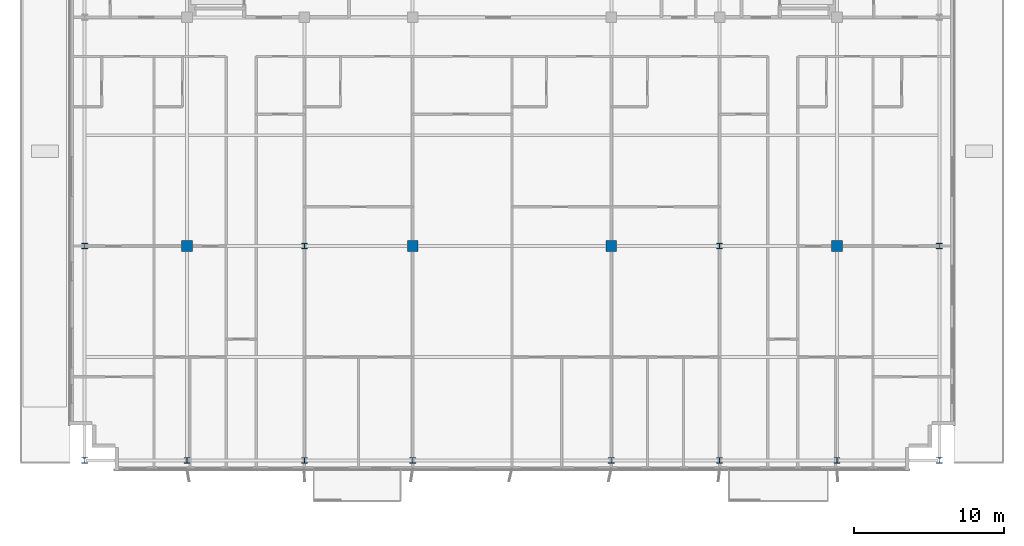
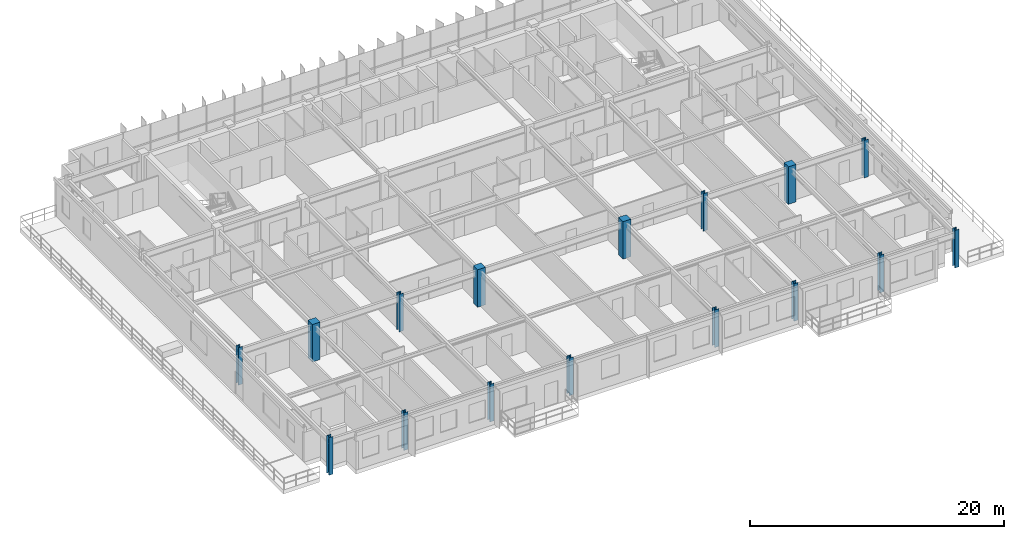
# One storey, part 1 of 22: 16 columns.
"""IFC4 building model written with IfcOpenShell, lengths in metres."""

from ifc_helpers import new_model, si_unit, direction, frame, origin, origin_2d, place, context, subcontext, project, spatial, rectangle, i_section, extrude, source, transform, mapped, material, material_profile, profile_set, type_object, element, save


model = new_model("IFC4")

# Units and contexts
model_context = context("Model", 3, precision=1e-05, world=origin(), true_north=direction((0.0, 1.0)))
body_context = subcontext(model_context, "Body", "Model", "MODEL_VIEW")
ifc_project = project(units=[si_unit("LENGTHUNIT", "METRE"), si_unit("AREAUNIT", "SQUARE_METRE"), si_unit("VOLUMEUNIT", "CUBIC_METRE"), si_unit("PLANEANGLEUNIT", "RADIAN"), si_unit("MASSUNIT", "GRAM", prefix="KILO")], contexts=[model_context])

# Site, building, storey
site_placement = place(None, origin())
site = spatial("IfcSite", under=ifc_project, at=site_placement, CompositionType="ELEMENT")
building_placement = place(site_placement, origin())
building = spatial("IfcBuilding", under=site, at=building_placement, Name="Trelvane Seafront Commons", CompositionType="ELEMENT")
storey_placement = place(building_placement, frame((0.0, 0.0, 132.10009765625)))
storey = spatial("IfcBuildingStorey", under=building, at=storey_placement, Name="L34", CompositionType="ELEMENT", Elevation=132.10009765625)

# Columns
ifc_material_1 = material(Name="Steel SM355 (S355)", Category="steel")
ifc_material_profile_1 = material_profile(ifc_material_1, i_section(OverallWidth=0.3798828125, OverallDepth=0.3798828125, WebThickness=0.02001953125, FlangeThickness=0.030029296875, at=origin_2d()), Name="HD-380x380x20x30")
ifc_profile_set_1 = profile_set([ifc_material_profile_1], Name="Steel SM355 (S355)")
column_type_1 = type_object("IfcColumnType", Name="STR-COL-HD380", PredefinedType="COLUMN", material=ifc_profile_set_1)
shared_shape_1 = source(origin(), body_context, "Body", "SweptSolid", [
    extrude(i_section(OverallWidth=0.3798828125, OverallDepth=0.3798828125, WebThickness=0.02001953125, FlangeThickness=0.030029296875, at=origin_2d()), origin(), (0.0, 0.0, 1.0), 3.599853515625),
])
for number, where, z_axis, x_axis, name in (
    (1, (8.800048828125, 3.949951171875, 0.0), (0.0, 0.0, 1.0), (1.0, 0.0, 0.0), "L34 Column TC-S8.8"),
    (2, (8.800048828125, 18.199951171875, 0.0), (0.0, 0.0, 1.0), (1.0, 0.0, 0.0), "L34 Column TC-M8.8"),
    (3, (15.60009765625, 3.949951171875, 0.0), (0.0, 0.0, 1.0), (1.0, 0.0, 0.0), "L34 Column TC-S15.6"),
    (4, (23.39990234375, 3.949951171875, 0.0), (0.0, 0.0, 1.0), (1.0, 0.0, 0.0), "L34 Column TC-S23.4"),
    (5, (23.39990234375, 18.199951171875, 0.0), (0.0, 0.0, 1.0), (1.0, 0.0, 0.0), "L34 Column TC-M23.4"),
    (6, (30.60009765625, 3.949951171875, 0.0), (0.0, 0.0, 1.0), (1.0, 0.0, 0.0), "L34 Column TC-S30.6"),
    (7, (43.800048828125, 3.949951171875, 0.0), (0.0, 0.0, 1.0), (1.0, 0.0, 0.0), "L34 Column TC-S43.8"),
    (8, (51.0, 3.949951171875, 0.0), (0.0, 0.0, 1.0), (1.0, 0.0, 0.0), "L34 Column TC-S51.0"),
    (9, (51.0, 18.199951171875, 0.0), (0.0, 0.0, 1.0), (1.0, 0.0, 0.0), "L34 Column TC-M51.0"),
    (10, (58.800048828125, 3.949951171875, 0.0), (0.0, 0.0, 1.0), (1.0, 0.0, 0.0), "L34 Column TC-S58.8"),
    (11, (65.60009765625, 3.949951171875, 0.0), (0.0, 0.0, 1.0), (1.0, 0.0, 0.0), "L34 Column TC-S65.6"),
    (12, (65.60009765625, 18.199951171875, 0.0), (0.0, 0.0, 1.0), (1.0, 0.0, 0.0), "L34 Column TC-M65.6"),
):
    element("IfcColumn", number, at=place(storey_placement, frame(where, z_axis=z_axis, x_axis=x_axis)), inside=storey, type_object=column_type_1, Name=name, PredefinedType="COLUMN", context=body_context, shape_type="MappedRepresentation", body=[
        mapped(shared_shape_1, transform((0.0, 0.0, 0.0), x_axis=(1.0, 0.0, 0.0), y_axis=(0.0, 1.0, 0.0), z_axis=(0.0, 0.0, 1.0), scale=1.0)),
    ])
ifc_material_2 = material(Name="Concrete C50/60", Category="concrete")
ifc_material_profile_2 = material_profile(ifc_material_2, rectangle(XDim=0.699951171875, YDim=0.699951171875, at=origin_2d()), Name="RC-700x700")
ifc_profile_set_2 = profile_set([ifc_material_profile_2], Name="Concrete C50/60")
column_type_2 = type_object("IfcColumnType", Name="STR-COL-RC700", PredefinedType="COLUMN", material=ifc_profile_set_2)
shared_shape_2 = source(origin(), body_context, "Body", "SweptSolid", [
    extrude(rectangle(XDim=0.699951171875, YDim=0.699951171875, at=origin_2d()), origin(), (0.0, 0.0, 1.0), 3.599853515625),
])
for number, where, z_axis, x_axis, name in (
    (13, (15.60009765625, 18.199951171875, 0.0), (0.0, 0.0, 1.0), (1.0, 0.0, 0.0), "L34 Column TC-M15.6"),
    (14, (30.60009765625, 18.199951171875, 0.0), (0.0, 0.0, 1.0), (1.0, 0.0, 0.0), "L34 Column TC-M30.6"),
    (15, (43.800048828125, 18.199951171875, 0.0), (0.0, 0.0, 1.0), (1.0, 0.0, 0.0), "L34 Column TC-M43.8"),
    (16, (58.800048828125, 18.199951171875, 0.0), (0.0, 0.0, 1.0), (1.0, 0.0, 0.0), "L34 Column TC-M58.8"),
):
    element("IfcColumn", number, at=place(storey_placement, frame(where, z_axis=z_axis, x_axis=x_axis)), inside=storey, type_object=column_type_2, Name=name, PredefinedType="COLUMN", context=body_context, shape_type="MappedRepresentation", body=[
        mapped(shared_shape_2, transform((0.0, 0.0, 0.0), x_axis=(1.0, 0.0, 0.0), y_axis=(0.0, 1.0, 0.0), z_axis=(0.0, 0.0, 1.0), scale=1.0)),
    ])

save(model, "model.ifc")
